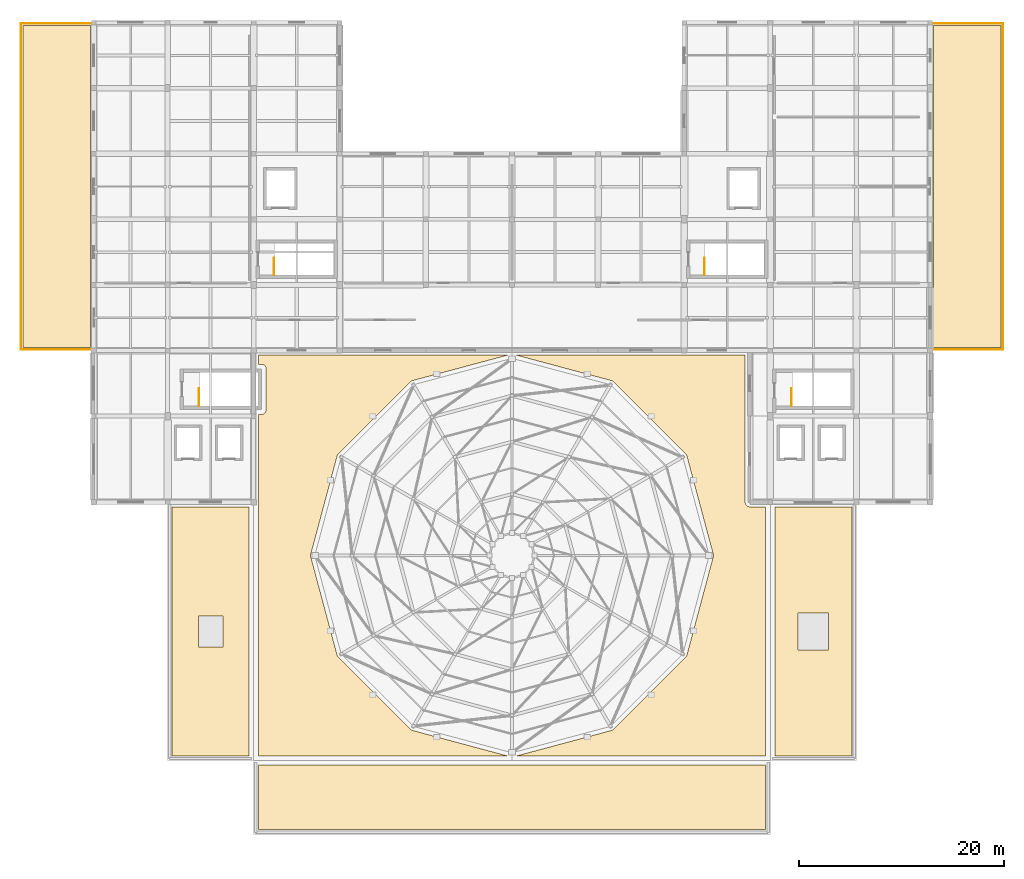
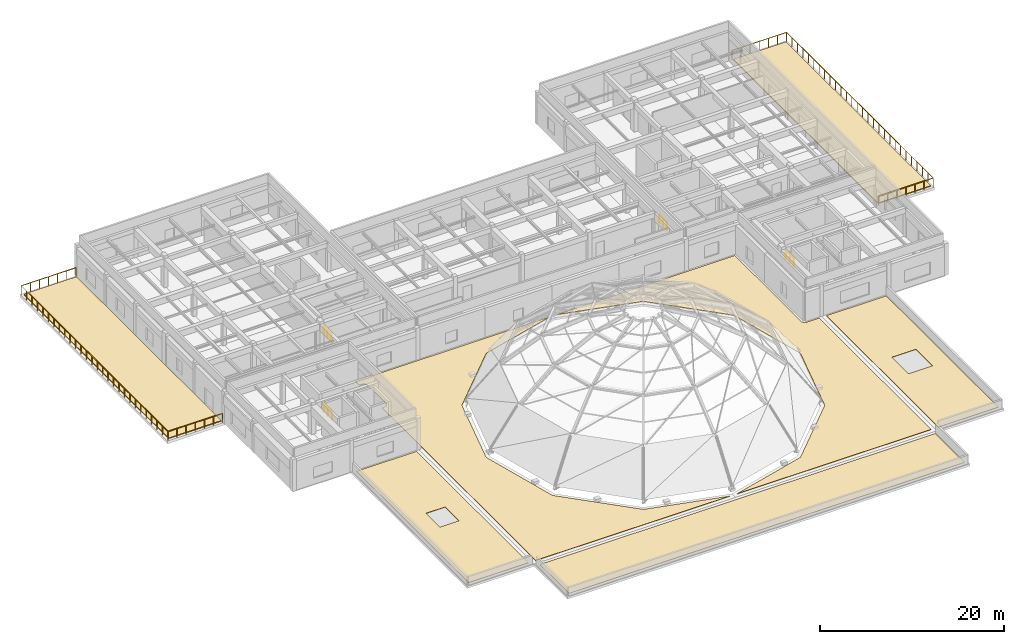
# One storey, part 18 of 18: 7 coverings, 6 railings.
"""IFC4 building model written with IfcOpenShell, lengths in metres."""

import ifcopenshell
import ifcopenshell.guid

model = None  # the IFC model being written
_history = None  # IfcOwnerHistory: only IFC2X3 demands one
_inside = {}  # id of a spatial element -> (the spatial element, [elements in it])
_under = {}  # id of a project, library or spatial element -> (it, [spatial elements below it])
_declared = {}  # id of a project -> (the project, [libraries it declares])
_typed = {}  # id of a type object -> (the type object, [elements of that type])
_made_of = {}  # id of a material, layer set ... -> (it, [elements and type objects made of it])


def new_model(schema):
    """Start an empty IFC model of exactly this schema.

    Asked for "IFC4X3", IfcOpenShell would pick the latest addendum, in which some entities
    have other attributes; the version numbers below select the first issue.
    IFC2X3 requires an IfcOwnerHistory on every rooted entity: one is made here for all.
    """
    global model, _history
    if schema == "IFC4X3":
        model = ifcopenshell.file(schema_version=(4, 3, 0, 0))
    else:
        model = ifcopenshell.file(schema=schema)
    _inside.clear()
    _under.clear()
    _declared.clear()
    _typed.clear()
    _made_of.clear()
    _history = None
    if model.schema == "IFC2X3":
        org = make("IfcOrganization", Name="unknown")
        user = make(
            "IfcPersonAndOrganization",
            ThePerson=make("IfcPerson", FamilyName="unknown"),
            TheOrganization=org,
        )
        app = make(
            "IfcApplication",
            ApplicationDeveloper=org,
            Version="unknown",
            ApplicationFullName="unknown",
            ApplicationIdentifier="unknown",
        )
        _history = make(
            "IfcOwnerHistory",
            OwningUser=user,
            OwningApplication=app,
            ChangeAction="ADDED",
            CreationDate=0,
        )
    return model


def make(cls, **values):
    """One entity of the class cls with the attributes given. An attribute that is None is left unset."""
    return model.create_entity(
        cls, **{name: value for name, value in values.items() if value is not None}
    )


def rooted(cls, **values):
    """An entity with a GlobalId (a new one), such as an element, a storey or a relation."""
    return make(cls, GlobalId=ifcopenshell.guid.new(), OwnerHistory=_history, **values)


def si_unit(unit_type, name, prefix=None):
    """IfcSIUnit, for example si_unit("LENGTHUNIT", "METRE", prefix="MILLI")."""
    return make("IfcSIUnit", UnitType=unit_type, Prefix=prefix, Name=name)


def assignment(units):
    """IfcUnitAssignment: the units of a project."""
    return None if units is None else make("IfcUnitAssignment", Units=units)


def point(xyz):
    """IfcCartesianPoint."""
    return None if xyz is None else make("IfcCartesianPoint", Coordinates=xyz)


def direction(xyz):
    """IfcDirection."""
    return None if xyz is None else make("IfcDirection", DirectionRatios=xyz)


def frame(location, z_axis=None, x_axis=None):
    """IfcAxis2Placement3D, a coordinate frame: its origin and axes. An axis left out is left unset."""
    return make(
        "IfcAxis2Placement3D",
        Location=point(location),
        Axis=direction(z_axis),
        RefDirection=direction(x_axis),
    )


def frame_2d(location, x_axis=None):
    """IfcAxis2Placement2D, a coordinate frame in the plane: its origin and x axis."""
    return make(
        "IfcAxis2Placement2D", Location=point(location), RefDirection=direction(x_axis)
    )


def origin():
    """The frame at (0, 0, 0) with its axes left unset."""
    return frame((0.0, 0.0, 0.0))


def origin_2d():
    """The frame at (0, 0) in the plane with its x axis left unset."""
    return frame_2d((0.0, 0.0))


def place(relative_to, where):
    """IfcLocalPlacement: puts the frame where relative to a parent placement (None: the world)."""
    return make(
        "IfcLocalPlacement", PlacementRelTo=relative_to, RelativePlacement=where
    )


def context(
    kind, dimensions, precision=None, world=None, true_north=None, identifier=None
):
    """IfcGeometricRepresentationContext, for example the 3D "Model" context."""
    return make(
        "IfcGeometricRepresentationContext",
        ContextIdentifier=identifier,
        ContextType=kind,
        CoordinateSpaceDimension=dimensions,
        Precision=precision,
        WorldCoordinateSystem=world,
        TrueNorth=true_north,
    )


def subcontext(parent, identifier, kind, view, scale=None):
    """IfcGeometricRepresentationSubContext, for example "Body" below "Model"."""
    return make(
        "IfcGeometricRepresentationSubContext",
        ContextIdentifier=identifier,
        ContextType=kind,
        ParentContext=parent,
        TargetScale=scale,
        TargetView=view,
    )


def project(units=None, contexts=None):
    """IfcProject with its units and contexts."""
    return rooted(
        "IfcProject",
        Name="project",
        RepresentationContexts=contexts,
        UnitsInContext=assignment(units),
    )


def spatial(cls, under=None, at=None, **own):
    """A site, building, storey or space (cls), placed at a placement, below another one or the project."""
    s = rooted(cls, ObjectPlacement=at, **own)
    if under is not None:
        _under.setdefault(under.id(), (under, []))[1].append(s)
    return s


def polyline(points):
    """IfcPolyline through the points."""
    return make("IfcPolyline", Points=[point(p) for p in points])


def profile(cls, at=None, kind="AREA", **sizes):
    """A parametric profile (cls). Its sizes go by their IFC names, for example OverallWidth=200.0."""
    return make(cls, ProfileType=kind, Position=at, **sizes)


def circle(**sizes):
    """IfcCircleProfileDef."""
    return profile("IfcCircleProfileDef", **sizes)


def outline(outer, holes=None, kind="AREA"):
    """IfcArbitraryClosedProfileDef: a profile drawn as a closed curve; with holes, ...WithVoids."""
    if holes is None:
        return make("IfcArbitraryClosedProfileDef", ProfileType=kind, OuterCurve=outer)
    return make(
        "IfcArbitraryProfileDefWithVoids",
        ProfileType=kind,
        OuterCurve=outer,
        InnerCurves=holes,
    )


def extrude(swept, where, along, depth):
    """IfcExtrudedAreaSolid: the profile swept, set in the frame where, extruded along a direction by depth."""
    return make(
        "IfcExtrudedAreaSolid",
        SweptArea=swept,
        Position=where,
        ExtrudedDirection=direction(along),
        Depth=depth,
    )


def shape(context_of_items, identifier, shape_type, items):
    """IfcShapeRepresentation: the items that make up one representation, for example the "Body"."""
    return make(
        "IfcShapeRepresentation",
        ContextOfItems=context_of_items,
        RepresentationIdentifier=identifier,
        RepresentationType=shape_type,
        Items=items,
    )


def material(Name=None, Category=None):
    """IfcMaterial."""
    return make("IfcMaterial", Name=Name, Category=Category)


def layer(
    of_material, thickness, ventilated=None, Name=None, Category=None, Priority=None
):
    """IfcMaterialLayer: one layer of a wall or slab, of a material (None: an air gap)."""
    return make(
        "IfcMaterialLayer",
        Material=of_material,
        LayerThickness=thickness,
        IsVentilated=ventilated,
        Name=Name,
        Category=Category,
        Priority=Priority,
    )


def layer_set(layers, Name=None):
    """IfcMaterialLayerSet."""
    return make("IfcMaterialLayerSet", MaterialLayers=layers, LayerSetName=Name)


def made_of(thing, what):
    """Note that an element or type object is made of a material, layer set ...; save() writes the relation."""
    if what is not None:
        _made_of.setdefault(what.id(), (what, []))[1].append(thing)
    return thing


def type_object(cls, material=None, **own):
    """A type object (cls), such as IfcWallType, which elements share."""
    return made_of(rooted(cls, **own), material)


def element(
    cls,
    number,
    at=None,
    inside=None,
    cuts=None,
    type_object=None,
    material=None,
    context=None,
    identifier="Body",
    shape_type=None,
    held_by="IfcProductDefinitionShape",
    body=None,
    shapes=None,
    **own,
):
    """One element of the class cls, such as IfcWall. Its Tag is "e" and its number.

    at: its placement. inside: the storey or other place that contains it. cuts: it is an
    opening in that element (IfcRelVoidsElement). A single representation is given by context,
    identifier, shape_type and body (its items); several are given by shapes. held_by: the class
    of the entity that holds the representations. save() writes the other relations.
    """
    e = rooted(cls, Tag="e%d" % number, ObjectPlacement=at, **own)
    if body is not None:
        shapes = [shape(context, identifier, shape_type, body)]
    if shapes is not None:
        e.Representation = make(held_by, Representations=shapes)
    if inside is not None:
        _inside.setdefault(inside.id(), (inside, []))[1].append(e)
    if cuts is not None:
        rooted(
            "IfcRelVoidsElement", RelatingBuildingElement=cuts, RelatedOpeningElement=e
        )
    if type_object is not None:
        _typed.setdefault(type_object.id(), (type_object, []))[1].append(e)
    return made_of(e, material)


def aggregate(whole, parts):
    """IfcRelAggregates: a whole, such as a stair, and the parts it consists of."""
    return rooted("IfcRelAggregates", RelatingObject=whole, RelatedObjects=parts)


def save(model, path):
    """Write the relations noted so far, then the file.

    IfcRelAggregates (storeys below a building ...), IfcRelContainedInSpatialStructure (elements
    in a storey), IfcRelDefinesByType, IfcRelAssociatesMaterial and IfcRelDeclares: one each for
    every whole, place, type object, material and project.
    """
    for whole, parts in _under.values():
        aggregate(whole, parts)
    for where, things in _inside.values():
        rooted(
            "IfcRelContainedInSpatialStructure",
            RelatedElements=things,
            RelatingStructure=where,
        )
    for kind, things in _typed.values():
        rooted("IfcRelDefinesByType", RelatedObjects=things, RelatingType=kind)
    for what, things in _made_of.values():
        rooted("IfcRelAssociatesMaterial", RelatedObjects=things, RelatingMaterial=what)
    for by, libraries in _declared.values():
        rooted("IfcRelDeclares", RelatingContext=by, RelatedDefinitions=libraries)
    model.write(path)


model = new_model("IFC4")

# Units and contexts
model_context = context("Model", 3, precision=1e-05, world=origin(), true_north=direction((0.0, 1.0)))
body_context = subcontext(model_context, "Body", "Model", "MODEL_VIEW")
ifc_project = project(units=[si_unit("LENGTHUNIT", "METRE"), si_unit("AREAUNIT", "SQUARE_METRE"), si_unit("VOLUMEUNIT", "CUBIC_METRE"), si_unit("PLANEANGLEUNIT", "RADIAN"), si_unit("MASSUNIT", "GRAM", prefix="KILO")], contexts=[model_context])

# Site, building, storey
site_placement = place(None, origin())
site = spatial("IfcSite", under=ifc_project, at=site_placement, CompositionType="ELEMENT")
building_placement = place(site_placement, origin())
building = spatial("IfcBuilding", under=site, at=building_placement, Name="Korsvaeld Concert Hall", CompositionType="ELEMENT")
storey_placement = place(building_placement, frame((0.0, 0.0, 17.39990234375)))
storey = spatial("IfcBuildingStorey", under=building, at=storey_placement, Name="L04", CompositionType="ELEMENT", Elevation=17.39990234375)

# Coverings
ifc_material_1 = material(Name="Patinated Nordic standing-seam copper roofing")
ifc_layer_1 = layer(ifc_material_1, 0.06005859375)
ifc_layer_set_1 = layer_set([ifc_layer_1], Name="Patinated Nordic standing-seam copper roofing")
covering_type_1 = type_object("IfcCoveringType", Name="COV-ROOF-COPPER", PredefinedType="ROOFING", material=ifc_layer_set_1)
covering_1_placement = place(storey_placement, origin())
element("IfcCovering", 1, at=covering_1_placement, inside=storey, type_object=covering_type_1, Name="Patinated Nordic copper roof covering SLB-ROOF_L04_V1W", PredefinedType="ROOFING", context=body_context, shape_type="SweptSolid", body=[
    extrude(outline(polyline([(50.85009765625, 67.949951171875), (58.35009765625, 67.949951171875), (58.35009765625, 43.64990234375), (50.85009765625, 43.64990234375), (50.85009765625, 67.949951171875)]), holes=[polyline([(53.39990234375, 54.300048828125), (55.800048828125, 54.300048828125), (55.800048828125, 57.300048828125), (53.39990234375, 57.300048828125), (53.39990234375, 54.300048828125)])]), origin(), (0.0, 0.0, 1.0), 0.06005859375),
])
covering_2_placement = place(storey_placement, origin())
element("IfcCovering", 2, at=covering_2_placement, inside=storey, type_object=covering_type_1, Name="Patinated Nordic copper roof covering SLB-ROOF_L04_V1E", PredefinedType="ROOFING", context=body_context, shape_type="SweptSolid", body=[
    extrude(outline(polyline([(109.64990234375, 67.949951171875), (117.14990234375, 67.949951171875), (117.14990234375, 43.64990234375), (109.64990234375, 43.64990234375), (109.64990234375, 67.949951171875)]), holes=[polyline([(111.89990234375, 54.0), (114.89990234375, 54.0), (114.89990234375, 57.60009765625), (111.89990234375, 57.60009765625), (111.89990234375, 54.0)])]), origin(), (0.0, 0.0, 1.0), 0.06005859375),
])
covering_3_placement = place(storey_placement, origin())
element("IfcCovering", 3, at=covering_3_placement, inside=storey, type_object=covering_type_1, Name="Patinated Nordic copper roof covering SLB-ROOF_L04_BELV", PredefinedType="ROOFING", context=body_context, shape_type="SweptSolid", body=[
    extrude(outline(polyline([(108.75, 36.449951171875), (59.25, 36.449951171875), (59.25, 42.75), (108.75, 42.75), (108.75, 36.449951171875)])), origin(), (0.0, 0.0, 1.0), 0.06005859375),
])
covering_4_placement = place(storey_placement, origin())
element("IfcCovering", 4, at=covering_4_placement, inside=storey, type_object=covering_type_1, Name="Patinated Nordic copper roof covering SLB-ROOF_L04_V1CW", PredefinedType="ROOFING", context=body_context, shape_type="SweptSolid", body=[
    extrude(outline(polyline([(59.25, 76.97998046875), (59.570068359375, 76.97998046875), (59.614013671875, 76.982177734375), (59.65771484375, 76.988525390625), (59.70068359375, 76.99951171875), (59.7421875, 77.014404296875), (59.781982421875, 77.033203125), (59.820068359375, 77.055908203125), (59.85546875, 77.08203125), (59.88818359375, 77.11181640625), (59.91796875, 77.14453125), (59.944091796875, 77.179931640625), (59.966796875, 77.218017578125), (59.985595703125, 77.2578125), (60.00048828125, 77.29931640625), (60.011474609375, 77.34228515625), (60.017822265625, 77.385986328125), (60.02001953125, 77.429931640625), (60.02001953125, 81.409912109375), (60.017822265625, 81.4541015625), (60.011474609375, 81.497802734375), (60.00048828125, 81.54052734375), (59.985595703125, 81.582275390625), (59.966796875, 81.6220703125), (59.944091796875, 81.659912109375), (59.91796875, 81.695556640625), (59.88818359375, 81.728271484375), (59.85546875, 81.7578125), (59.820068359375, 81.7841796875), (59.781982421875, 81.806884765625), (59.7421875, 81.82568359375), (59.70068359375, 81.840576171875), (59.65771484375, 81.851318359375), (59.614013671875, 81.85791015625), (59.570068359375, 81.860107421875), (59.25, 81.860107421875), (59.25, 82.75), (83.550048828125, 82.75), (83.550048828125, 82.745361328125), (74.283447265625, 80.262451171875), (74.23876953125, 80.247802734375), (74.19580078125, 80.228759765625), (74.15478515625, 80.205078125), (74.11669921875, 80.177490234375), (74.081787109375, 80.14599609375), (67.05419921875, 73.1181640625), (67.022705078125, 73.083251953125), (66.994873046875, 73.045166015625), (66.97119140625, 73.00439453125), (66.9521484375, 72.961181640625), (66.9375, 72.91650390625), (64.365234375, 63.31640625), (64.35546875, 63.2705078125), (64.3505859375, 63.2236328125), (64.3505859375, 63.176513671875), (64.35546875, 63.129638671875), (64.365234375, 63.08349609375), (66.9375, 53.4833984375), (66.9521484375, 53.438720703125), (66.97119140625, 53.395751953125), (66.994873046875, 53.35498046875), (67.022705078125, 53.31689453125), (67.05419921875, 53.28173828125), (74.081787109375, 46.254150390625), (74.11669921875, 46.22265625), (74.15478515625, 46.19482421875), (74.19580078125, 46.17138671875), (74.23876953125, 46.152099609375), (74.283447265625, 46.1376953125), (83.550048828125, 43.65478515625), (83.550048828125, 43.64990234375), (59.25, 43.64990234375), (59.25, 76.97998046875)])), origin(), (0.0, 0.0, 1.0), 0.06005859375),
])
covering_5_placement = place(storey_placement, origin())
element("IfcCovering", 5, at=covering_5_placement, inside=storey, type_object=covering_type_1, Name="Patinated Nordic copper roof covering SLB-ROOF_L04_V1CE", PredefinedType="ROOFING", context=body_context, shape_type="SweptSolid", body=[
    extrude(outline(polyline([(106.75, 68.39990234375), (106.752197265625, 68.35595703125), (106.758544921875, 68.312255859375), (106.769287109375, 68.269287109375), (106.7841796875, 68.227783203125), (106.802978515625, 68.18798828125), (106.82568359375, 68.14990234375), (106.85205078125, 68.114501953125), (106.8818359375, 68.081787109375), (106.91455078125, 68.052001953125), (106.949951171875, 68.02587890625), (106.98779296875, 68.003173828125), (107.02783203125, 67.984375), (107.0693359375, 67.969482421875), (107.1123046875, 67.95849609375), (107.156005859375, 67.9521484375), (107.199951171875, 67.949951171875), (108.75, 67.949951171875), (108.75, 43.64990234375), (84.449951171875, 43.64990234375), (84.449951171875, 43.65478515625), (93.716552734375, 46.1376953125), (93.76123046875, 46.152099609375), (93.80419921875, 46.17138671875), (93.84521484375, 46.19482421875), (93.88330078125, 46.22265625), (93.918212890625, 46.254150390625), (100.94580078125, 53.28173828125), (100.977294921875, 53.31689453125), (101.005126953125, 53.35498046875), (101.02880859375, 53.395751953125), (101.0478515625, 53.438720703125), (101.0625, 53.4833984375), (103.634765625, 63.08349609375), (103.64453125, 63.129638671875), (103.6494140625, 63.176513671875), (103.6494140625, 63.2236328125), (103.64453125, 63.2705078125), (103.634765625, 63.31640625), (101.0625, 72.91650390625), (101.0478515625, 72.961181640625), (101.02880859375, 73.00439453125), (101.005126953125, 73.045166015625), (100.977294921875, 73.083251953125), (100.94580078125, 73.1181640625), (93.918212890625, 80.14599609375), (93.88330078125, 80.177490234375), (93.84521484375, 80.205078125), (93.80419921875, 80.228759765625), (93.76123046875, 80.247802734375), (93.716552734375, 80.262451171875), (84.449951171875, 82.745361328125), (84.449951171875, 82.75), (106.75, 82.75), (106.75, 68.39990234375)])), origin(), (0.0, 0.0, 1.0), 0.06005859375),
])
ifc_material_2 = material(Name="Mughal-garden sedum planted green roof substrate")
ifc_layer_2 = layer(ifc_material_2, 0.1201171875)
ifc_layer_set_2 = layer_set([ifc_layer_2], Name="Mughal-garden sedum planted green roof substrate")
covering_type_2 = type_object("IfcCoveringType", Name="COV-ROOF-GREEN", PredefinedType="ROOFING", material=ifc_layer_set_2)
covering_6_placement = place(storey_placement, origin())
element("IfcCovering", 6, at=covering_6_placement, inside=storey, type_object=covering_type_2, Name="Mughal-garden green roof planting TER_L04_NW", PredefinedType="ROOFING", context=body_context, shape_type="SweptSolid", body=[
    extrude(outline(polyline([(42.89990234375, 83.5), (42.89990234375, 114.89990234375), (36.300048828125, 114.89990234375), (36.300048828125, 83.5), (42.89990234375, 83.5)])), origin(), (0.0, 0.0, 1.0), 0.1201171875),
])
covering_7_placement = place(storey_placement, origin())
element("IfcCovering", 7, at=covering_7_placement, inside=storey, type_object=covering_type_2, Name="Mughal-garden green roof planting TER_L04_NE", PredefinedType="ROOFING", context=body_context, shape_type="SweptSolid", body=[
    extrude(outline(polyline([(131.699951171875, 83.5), (131.699951171875, 114.89990234375), (125.10009765625, 114.89990234375), (125.10009765625, 83.5), (131.699951171875, 83.5)])), origin(), (0.0, 0.0, 1.0), 0.1201171875),
])

# Railings
ifc_material_3 = material(Name="Powder-coated steel and bronze stair guardrail", Category="steel")
railing_type_1 = type_object("IfcRailingType", Name="RL-STAIR-GUARD-120", PredefinedType="GUARDRAIL", material=ifc_material_3)
for number, where, name in (
    (8, (53.469970703125, 77.77001953125, 0.0), "L04 ST-K1 top well guard 1"),
    (9, (111.27001953125, 77.77001953125, 0.0), "L04 ST-K2 top well guard 1"),
):
    element("IfcRailing", number, at=place(storey_placement, frame(where)), inside=storey, type_object=railing_type_1, Name=name, PredefinedType="GUARDRAIL", context=body_context, shape_type="SweptSolid", body=[
        extrude(circle(Radius=0.02392578125, at=origin_2d()), frame((0.0, 0.0, 1.076171875), z_axis=(0.0, 1.0, 0.0), x_axis=(-1.0, 0.0, 0.0)), (0.0, 0.0, 1.0), 1.75),
        extrude(circle(Radius=0.02099609375, at=origin_2d()), origin(), (0.0, 0.0, 1.0), 1.052001953125),
        extrude(circle(Radius=0.02099609375, at=origin_2d()), frame((0.0, 0.875, 0.0)), (0.0, 0.0, 1.0), 1.052001953125),
        extrude(circle(Radius=0.02099609375, at=origin_2d()), frame((0.0, 1.75, 0.0)), (0.0, 0.0, 1.0), 1.052001953125),
    ])
for number, where, name in (
    (10, (60.77001953125, 90.570068359375, 0.0), "L04 ST-K5 top well guard 1"),
    (11, (102.77001953125, 90.570068359375, 0.0), "L04 ST-K6 top well guard 1"),
):
    element("IfcRailing", number, at=place(storey_placement, frame(where)), inside=storey, type_object=railing_type_1, Name=name, PredefinedType="GUARDRAIL", context=body_context, shape_type="SweptSolid", body=[
        extrude(circle(Radius=0.02392578125, at=origin_2d()), frame((0.0, 0.0, 1.076171875), z_axis=(0.0, 1.0, 0.0), x_axis=(-1.0, 0.0, 0.0)), (0.0, 0.0, 1.0), 1.64990234375),
        extrude(circle(Radius=0.02099609375, at=origin_2d()), origin(), (0.0, 0.0, 1.0), 1.052001953125),
        extrude(circle(Radius=0.02099609375, at=origin_2d()), frame((0.0, 0.824951171875, 0.0)), (0.0, 0.0, 1.0), 1.052001953125),
        extrude(circle(Radius=0.02099609375, at=origin_2d()), frame((0.0, 1.64990234375, 0.0)), (0.0, 0.0, 1.0), 1.052001953125),
    ])
ifc_material_4 = material(Name="Anodised architectural bronze guardrail")
railing_type_2 = type_object("IfcRailingType", Name="RL-TERR-GUARD-120", PredefinedType="GUARDRAIL", material=ifc_material_4)
railing_1_placement = place(storey_placement, frame((42.93994140625, 83.300048828125, 0.0)))
element("IfcRailing", 12, at=railing_1_placement, inside=storey, type_object=railing_type_2, Name="Planted terrace bronze guardrail TER_L04_NW", PredefinedType="GUARDRAIL", context=body_context, shape_type="SweptSolid", body=[
    extrude(circle(Radius=0.02392578125, at=origin_2d()), frame((0.0, 0.0, 1.17578125), z_axis=(-1.0, 0.0, 0.0), x_axis=(0.0, -1.0, 0.0)), (0.0, 0.0, 1.0), 6.83984375),
    extrude(circle(Radius=0.02392578125, at=origin_2d()), frame((-6.83984375, 0.0, 1.17578125), z_axis=(0.0, 1.0, 0.0), x_axis=(-1.0, 0.0, 0.0)), (0.0, 0.0, 1.0), 31.800048828125),
    extrude(circle(Radius=0.02392578125, at=origin_2d()), frame((-6.83984375, 31.800048828125, 1.17578125), z_axis=(1.0, 0.0, 0.0), x_axis=(0.0, 1.0, 0.0)), (0.0, 0.0, 1.0), 6.83984375),
    extrude(circle(Radius=0.02099609375, at=origin_2d()), origin(), (0.0, 0.0, 1.0), 1.15185546875),
    extrude(circle(Radius=0.02099609375, at=origin_2d()), frame((-1.139892578125, 0.0, 0.0)), (0.0, 0.0, 1.0), 1.15185546875),
    extrude(circle(Radius=0.02099609375, at=origin_2d()), frame((-2.280029296875, 0.0, 0.0)), (0.0, 0.0, 1.0), 1.15185546875),
    extrude(circle(Radius=0.02099609375, at=origin_2d()), frame((-3.419921875, 0.0, 0.0)), (0.0, 0.0, 1.0), 1.15185546875),
    extrude(circle(Radius=0.02099609375, at=origin_2d()), frame((-4.559814453125, 0.0, 0.0)), (0.0, 0.0, 1.0), 1.15185546875),
    extrude(circle(Radius=0.02099609375, at=origin_2d()), frame((-5.699951171875, 0.0, 0.0)), (0.0, 0.0, 1.0), 1.15185546875),
    extrude(circle(Radius=0.02099609375, at=origin_2d()), frame((-6.83984375, 0.0, 0.0)), (0.0, 0.0, 1.0), 1.15185546875),
    extrude(circle(Radius=0.02099609375, at=origin_2d()), frame((-6.83984375, 1.177734375, 0.0)), (0.0, 0.0, 1.0), 1.15185546875),
    extrude(circle(Radius=0.02099609375, at=origin_2d()), frame((-6.83984375, 2.35546875, 0.0)), (0.0, 0.0, 1.0), 1.15185546875),
    extrude(circle(Radius=0.02099609375, at=origin_2d()), frame((-6.83984375, 3.533447265625, 0.0)), (0.0, 0.0, 1.0), 1.15185546875),
    extrude(circle(Radius=0.02099609375, at=origin_2d()), frame((-6.83984375, 4.711181640625, 0.0)), (0.0, 0.0, 1.0), 1.15185546875),
    extrude(circle(Radius=0.02099609375, at=origin_2d()), frame((-6.83984375, 5.888916015625, 0.0)), (0.0, 0.0, 1.0), 1.15185546875),
    extrude(circle(Radius=0.02099609375, at=origin_2d()), frame((-6.83984375, 7.066650390625, 0.0)), (0.0, 0.0, 1.0), 1.15185546875),
    extrude(circle(Radius=0.02099609375, at=origin_2d()), frame((-6.83984375, 8.244384765625, 0.0)), (0.0, 0.0, 1.0), 1.15185546875),
    extrude(circle(Radius=0.02099609375, at=origin_2d()), frame((-6.83984375, 9.422119140625, 0.0)), (0.0, 0.0, 1.0), 1.15185546875),
    extrude(circle(Radius=0.02099609375, at=origin_2d()), frame((-6.83984375, 10.60009765625, 0.0)), (0.0, 0.0, 1.0), 1.15185546875),
    extrude(circle(Radius=0.02099609375, at=origin_2d()), frame((-6.83984375, 11.77783203125, 0.0)), (0.0, 0.0, 1.0), 1.15185546875),
    extrude(circle(Radius=0.02099609375, at=origin_2d()), frame((-6.83984375, 12.95556640625, 0.0)), (0.0, 0.0, 1.0), 1.15185546875),
    extrude(circle(Radius=0.02099609375, at=origin_2d()), frame((-6.83984375, 14.13330078125, 0.0)), (0.0, 0.0, 1.0), 1.15185546875),
    extrude(circle(Radius=0.02099609375, at=origin_2d()), frame((-6.83984375, 15.31103515625, 0.0)), (0.0, 0.0, 1.0), 1.15185546875),
    extrude(circle(Radius=0.02099609375, at=origin_2d()), frame((-6.83984375, 16.489013671875, 0.0)), (0.0, 0.0, 1.0), 1.15185546875),
    extrude(circle(Radius=0.02099609375, at=origin_2d()), frame((-6.83984375, 17.666748046875, 0.0)), (0.0, 0.0, 1.0), 1.15185546875),
    extrude(circle(Radius=0.02099609375, at=origin_2d()), frame((-6.83984375, 18.844482421875, 0.0)), (0.0, 0.0, 1.0), 1.15185546875),
    extrude(circle(Radius=0.02099609375, at=origin_2d()), frame((-6.83984375, 20.022216796875, 0.0)), (0.0, 0.0, 1.0), 1.15185546875),
    extrude(circle(Radius=0.02099609375, at=origin_2d()), frame((-6.83984375, 21.199951171875, 0.0)), (0.0, 0.0, 1.0), 1.15185546875),
    extrude(circle(Radius=0.02099609375, at=origin_2d()), frame((-6.83984375, 22.3779296875, 0.0)), (0.0, 0.0, 1.0), 1.15185546875),
    extrude(circle(Radius=0.02099609375, at=origin_2d()), frame((-6.83984375, 23.5556640625, 0.0)), (0.0, 0.0, 1.0), 1.15185546875),
    extrude(circle(Radius=0.02099609375, at=origin_2d()), frame((-6.83984375, 24.7333984375, 0.0)), (0.0, 0.0, 1.0), 1.15185546875),
    extrude(circle(Radius=0.02099609375, at=origin_2d()), frame((-6.83984375, 25.9111328125, 0.0)), (0.0, 0.0, 1.0), 1.15185546875),
    extrude(circle(Radius=0.02099609375, at=origin_2d()), frame((-6.83984375, 27.0888671875, 0.0)), (0.0, 0.0, 1.0), 1.15185546875),
    extrude(circle(Radius=0.02099609375, at=origin_2d()), frame((-6.83984375, 28.2666015625, 0.0)), (0.0, 0.0, 1.0), 1.15185546875),
    extrude(circle(Radius=0.02099609375, at=origin_2d()), frame((-6.83984375, 29.444580078125, 0.0)), (0.0, 0.0, 1.0), 1.15185546875),
    extrude(circle(Radius=0.02099609375, at=origin_2d()), frame((-6.83984375, 30.622314453125, 0.0)), (0.0, 0.0, 1.0), 1.15185546875),
    extrude(circle(Radius=0.02099609375, at=origin_2d()), frame((-6.83984375, 31.800048828125, 0.0)), (0.0, 0.0, 1.0), 1.15185546875),
    extrude(circle(Radius=0.02099609375, at=origin_2d()), frame((-5.699951171875, 31.800048828125, 0.0)), (0.0, 0.0, 1.0), 1.15185546875),
    extrude(circle(Radius=0.02099609375, at=origin_2d()), frame((-4.559814453125, 31.800048828125, 0.0)), (0.0, 0.0, 1.0), 1.15185546875),
    extrude(circle(Radius=0.02099609375, at=origin_2d()), frame((-3.419921875, 31.800048828125, 0.0)), (0.0, 0.0, 1.0), 1.15185546875),
    extrude(circle(Radius=0.02099609375, at=origin_2d()), frame((-2.280029296875, 31.800048828125, 0.0)), (0.0, 0.0, 1.0), 1.15185546875),
    extrude(circle(Radius=0.02099609375, at=origin_2d()), frame((-1.139892578125, 31.800048828125, 0.0)), (0.0, 0.0, 1.0), 1.15185546875),
    extrude(circle(Radius=0.02099609375, at=origin_2d()), frame((0.0, 31.800048828125, 0.0)), (0.0, 0.0, 1.0), 1.15185546875),
])
railing_2_placement = place(storey_placement, frame((125.06005859375, 83.300048828125, 0.0)))
element("IfcRailing", 13, at=railing_2_placement, inside=storey, type_object=railing_type_2, Name="Planted terrace bronze guardrail TER_L04_NE", PredefinedType="GUARDRAIL", context=body_context, shape_type="SweptSolid", body=[
    extrude(circle(Radius=0.02392578125, at=origin_2d()), frame((0.0, 0.0, 1.17578125), z_axis=(1.0, 0.0, 0.0), x_axis=(0.0, 1.0, 0.0)), (0.0, 0.0, 1.0), 6.83984375),
    extrude(circle(Radius=0.02392578125, at=origin_2d()), frame((6.83984375, 0.0, 1.17578125), z_axis=(0.0, 1.0, 0.0), x_axis=(-1.0, 0.0, 0.0)), (0.0, 0.0, 1.0), 31.800048828125),
    extrude(circle(Radius=0.02392578125, at=origin_2d()), frame((6.83984375, 31.800048828125, 1.17578125), z_axis=(-1.0, 0.0, 0.0), x_axis=(0.0, -1.0, 0.0)), (0.0, 0.0, 1.0), 6.83984375),
    extrude(circle(Radius=0.02099609375, at=origin_2d()), origin(), (0.0, 0.0, 1.0), 1.15185546875),
    extrude(circle(Radius=0.02099609375, at=origin_2d()), frame((1.139892578125, 0.0, 0.0)), (0.0, 0.0, 1.0), 1.15185546875),
    extrude(circle(Radius=0.02099609375, at=origin_2d()), frame((2.280029296875, 0.0, 0.0)), (0.0, 0.0, 1.0), 1.15185546875),
    extrude(circle(Radius=0.02099609375, at=origin_2d()), frame((3.419921875, 0.0, 0.0)), (0.0, 0.0, 1.0), 1.15185546875),
    extrude(circle(Radius=0.02099609375, at=origin_2d()), frame((4.559814453125, 0.0, 0.0)), (0.0, 0.0, 1.0), 1.15185546875),
    extrude(circle(Radius=0.02099609375, at=origin_2d()), frame((5.699951171875, 0.0, 0.0)), (0.0, 0.0, 1.0), 1.15185546875),
    extrude(circle(Radius=0.02099609375, at=origin_2d()), frame((6.83984375, 0.0, 0.0)), (0.0, 0.0, 1.0), 1.15185546875),
    extrude(circle(Radius=0.02099609375, at=origin_2d()), frame((6.83984375, 1.177734375, 0.0)), (0.0, 0.0, 1.0), 1.15185546875),
    extrude(circle(Radius=0.02099609375, at=origin_2d()), frame((6.83984375, 2.35546875, 0.0)), (0.0, 0.0, 1.0), 1.15185546875),
    extrude(circle(Radius=0.02099609375, at=origin_2d()), frame((6.83984375, 3.533447265625, 0.0)), (0.0, 0.0, 1.0), 1.15185546875),
    extrude(circle(Radius=0.02099609375, at=origin_2d()), frame((6.83984375, 4.711181640625, 0.0)), (0.0, 0.0, 1.0), 1.15185546875),
    extrude(circle(Radius=0.02099609375, at=origin_2d()), frame((6.83984375, 5.888916015625, 0.0)), (0.0, 0.0, 1.0), 1.15185546875),
    extrude(circle(Radius=0.02099609375, at=origin_2d()), frame((6.83984375, 7.066650390625, 0.0)), (0.0, 0.0, 1.0), 1.15185546875),
    extrude(circle(Radius=0.02099609375, at=origin_2d()), frame((6.83984375, 8.244384765625, 0.0)), (0.0, 0.0, 1.0), 1.15185546875),
    extrude(circle(Radius=0.02099609375, at=origin_2d()), frame((6.83984375, 9.422119140625, 0.0)), (0.0, 0.0, 1.0), 1.15185546875),
    extrude(circle(Radius=0.02099609375, at=origin_2d()), frame((6.83984375, 10.60009765625, 0.0)), (0.0, 0.0, 1.0), 1.15185546875),
    extrude(circle(Radius=0.02099609375, at=origin_2d()), frame((6.83984375, 11.77783203125, 0.0)), (0.0, 0.0, 1.0), 1.15185546875),
    extrude(circle(Radius=0.02099609375, at=origin_2d()), frame((6.83984375, 12.95556640625, 0.0)), (0.0, 0.0, 1.0), 1.15185546875),
    extrude(circle(Radius=0.02099609375, at=origin_2d()), frame((6.83984375, 14.13330078125, 0.0)), (0.0, 0.0, 1.0), 1.15185546875),
    extrude(circle(Radius=0.02099609375, at=origin_2d()), frame((6.83984375, 15.31103515625, 0.0)), (0.0, 0.0, 1.0), 1.15185546875),
    extrude(circle(Radius=0.02099609375, at=origin_2d()), frame((6.83984375, 16.489013671875, 0.0)), (0.0, 0.0, 1.0), 1.15185546875),
    extrude(circle(Radius=0.02099609375, at=origin_2d()), frame((6.83984375, 17.666748046875, 0.0)), (0.0, 0.0, 1.0), 1.15185546875),
    extrude(circle(Radius=0.02099609375, at=origin_2d()), frame((6.83984375, 18.844482421875, 0.0)), (0.0, 0.0, 1.0), 1.15185546875),
    extrude(circle(Radius=0.02099609375, at=origin_2d()), frame((6.83984375, 20.022216796875, 0.0)), (0.0, 0.0, 1.0), 1.15185546875),
    extrude(circle(Radius=0.02099609375, at=origin_2d()), frame((6.83984375, 21.199951171875, 0.0)), (0.0, 0.0, 1.0), 1.15185546875),
    extrude(circle(Radius=0.02099609375, at=origin_2d()), frame((6.83984375, 22.3779296875, 0.0)), (0.0, 0.0, 1.0), 1.15185546875),
    extrude(circle(Radius=0.02099609375, at=origin_2d()), frame((6.83984375, 23.5556640625, 0.0)), (0.0, 0.0, 1.0), 1.15185546875),
    extrude(circle(Radius=0.02099609375, at=origin_2d()), frame((6.83984375, 24.7333984375, 0.0)), (0.0, 0.0, 1.0), 1.15185546875),
    extrude(circle(Radius=0.02099609375, at=origin_2d()), frame((6.83984375, 25.9111328125, 0.0)), (0.0, 0.0, 1.0), 1.15185546875),
    extrude(circle(Radius=0.02099609375, at=origin_2d()), frame((6.83984375, 27.0888671875, 0.0)), (0.0, 0.0, 1.0), 1.15185546875),
    extrude(circle(Radius=0.02099609375, at=origin_2d()), frame((6.83984375, 28.2666015625, 0.0)), (0.0, 0.0, 1.0), 1.15185546875),
    extrude(circle(Radius=0.02099609375, at=origin_2d()), frame((6.83984375, 29.444580078125, 0.0)), (0.0, 0.0, 1.0), 1.15185546875),
    extrude(circle(Radius=0.02099609375, at=origin_2d()), frame((6.83984375, 30.622314453125, 0.0)), (0.0, 0.0, 1.0), 1.15185546875),
    extrude(circle(Radius=0.02099609375, at=origin_2d()), frame((6.83984375, 31.800048828125, 0.0)), (0.0, 0.0, 1.0), 1.15185546875),
    extrude(circle(Radius=0.02099609375, at=origin_2d()), frame((5.699951171875, 31.800048828125, 0.0)), (0.0, 0.0, 1.0), 1.15185546875),
    extrude(circle(Radius=0.02099609375, at=origin_2d()), frame((4.559814453125, 31.800048828125, 0.0)), (0.0, 0.0, 1.0), 1.15185546875),
    extrude(circle(Radius=0.02099609375, at=origin_2d()), frame((3.419921875, 31.800048828125, 0.0)), (0.0, 0.0, 1.0), 1.15185546875),
    extrude(circle(Radius=0.02099609375, at=origin_2d()), frame((2.280029296875, 31.800048828125, 0.0)), (0.0, 0.0, 1.0), 1.15185546875),
    extrude(circle(Radius=0.02099609375, at=origin_2d()), frame((1.139892578125, 31.800048828125, 0.0)), (0.0, 0.0, 1.0), 1.15185546875),
    extrude(circle(Radius=0.02099609375, at=origin_2d()), frame((0.0, 31.800048828125, 0.0)), (0.0, 0.0, 1.0), 1.15185546875),
])

save(model, "model.ifc")
